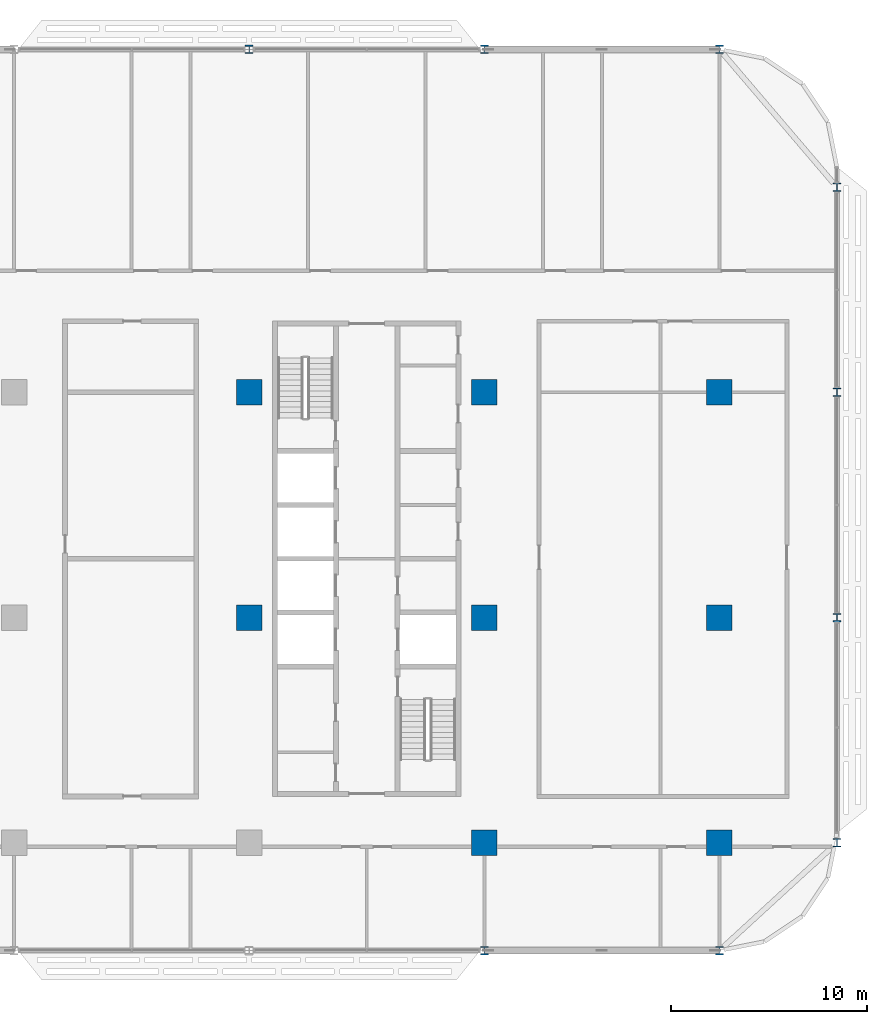
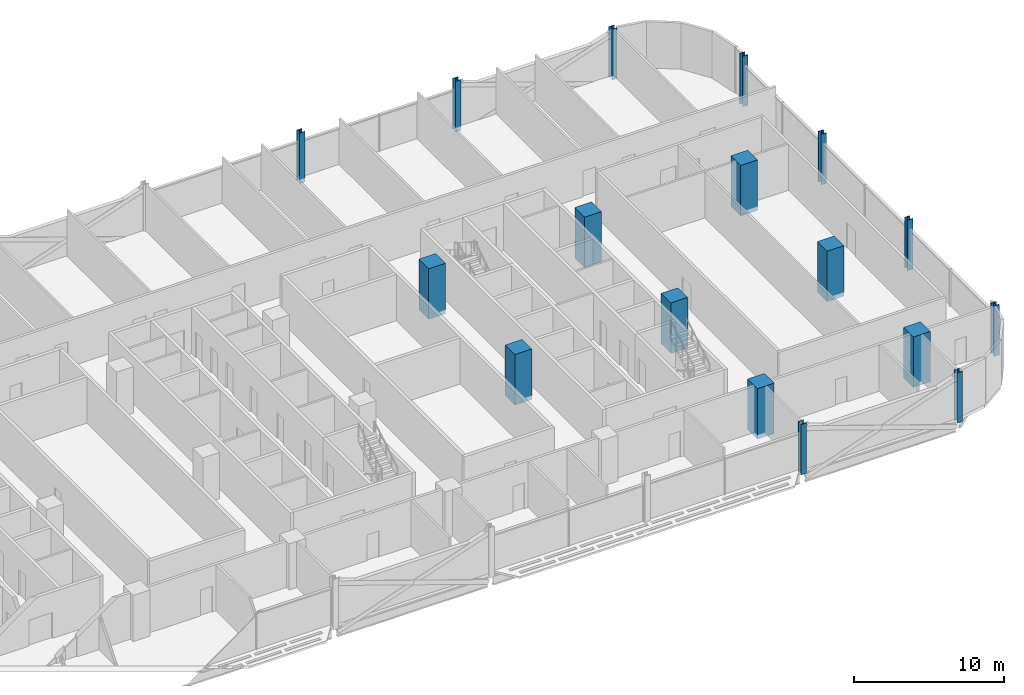
# One storey, part 2 of 29: 17 columns.
"""IFC4 building model written with IfcOpenShell, lengths in metres."""

from ifc_helpers import new_model, si_unit, direction, frame, origin, origin_2d, place, context, subcontext, project, spatial, rectangle, i_section, extrude, material, material_profile, profile_set, type_object, element, save


model = new_model("IFC4")

# Units and contexts
model_context = context("Model", 3, precision=1e-05, world=origin(), true_north=direction((0.0, 1.0)))
body_context = subcontext(model_context, "Body", "Model", "MODEL_VIEW")
ifc_project = project(units=[si_unit("LENGTHUNIT", "METRE"), si_unit("AREAUNIT", "SQUARE_METRE"), si_unit("VOLUMEUNIT", "CUBIC_METRE"), si_unit("PLANEANGLEUNIT", "RADIAN"), si_unit("MASSUNIT", "GRAM", prefix="KILO")], contexts=[model_context])

# Site, building, storey
site_placement = place(None, origin())
site = spatial("IfcSite", under=ifc_project, at=site_placement, CompositionType="ELEMENT")
building_placement = place(site_placement, origin())
building = spatial("IfcBuilding", under=site, at=building_placement, Name="Mahtab Terrace Research Tower", CompositionType="ELEMENT")
storey_placement = place(building_placement, frame((0.0, 0.0, 142.5)))
storey = spatial("IfcBuildingStorey", under=building, at=storey_placement, Name="L33", CompositionType="ELEMENT", Elevation=142.5)

# Columns
ifc_material_1 = material(Name="Concrete C70/85", Category="concrete")
ifc_material_profile_1 = material_profile(ifc_material_1, rectangle(XDim=1.300048828125, YDim=1.300048828125, at=origin_2d()), Name="RC column 1300x1300")
ifc_profile_set_1 = profile_set([ifc_material_profile_1], Name="Concrete C70/85")
column_type_1 = type_object("IfcColumnType", Name="RC column 1300x1300", PredefinedType="COLUMN", material=ifc_profile_set_1)
for number, where, z_axis, x_axis, name in (
    (1, (18.0, 0.0, -0.340087890625), (0.0, 0.0, 1.0), (1.0, 0.0, 0.0), "Column RC-6B L33"),
    (2, (18.0, 11.5, -0.340087890625), (0.0, 0.0, 1.0), (1.0, 0.0, 0.0), "Column RC-6C L33"),
    (3, (30.0, -11.5, -0.340087890625), (0.0, 0.0, 1.0), (1.0, 0.0, 0.0), "Column RC-7A L33"),
    (4, (30.0, 0.0, -0.340087890625), (0.0, 0.0, 1.0), (1.0, 0.0, 0.0), "Column RC-7B L33"),
    (5, (30.0, 11.5, -0.340087890625), (0.0, 0.0, 1.0), (1.0, 0.0, 0.0), "Column RC-7C L33"),
    (6, (42.0, -11.5, -0.340087890625), (0.0, 0.0, 1.0), (1.0, 0.0, 0.0), "Column RC-8A L33"),
    (7, (42.0, 0.0, -0.340087890625), (0.0, 0.0, 1.0), (1.0, 0.0, 0.0), "Column RC-8B L33"),
    (8, (42.0, 11.5, -0.340087890625), (0.0, 0.0, 1.0), (1.0, 0.0, 0.0), "Column RC-8C L33"),
):
    element("IfcColumn", number, at=place(storey_placement, frame(where, z_axis=z_axis, x_axis=x_axis)), inside=storey, type_object=column_type_1, Name=name, PredefinedType="COLUMN", context=body_context, shape_type="SweptSolid", body=[
        extrude(rectangle(XDim=1.300048828125, YDim=1.300048828125, at=origin_2d()), origin(), (0.0, 0.0, 1.0), 4.10009765625),
    ])
ifc_material_2 = material(Name="Steel ASTM A992 Gr 50", Category="steel")
ifc_material_profile_2 = material_profile(ifc_material_2, i_section(OverallWidth=0.41162109375, OverallDepth=0.434326171875, WebThickness=0.035888671875, FlangeThickness=0.057373046875, at=origin_2d()), Name="W14X311")
ifc_profile_set_2 = profile_set([ifc_material_profile_2], Name="Steel ASTM A992 Gr 50")
column_type_2 = type_object("IfcColumnType", Name="W14x311 column CS14311", PredefinedType="COLUMN", material=ifc_profile_set_2)
for number, where, z_axis, x_axis, name in (
    (9, (42.0, 29.0, -0.340087890625), (0.0, 0.0, 1.0), (1.0, 0.0, 0.0), "Column SC-031 L33"),
    (10, (30.0, 29.0, -0.340087890625), (0.0, 0.0, 1.0), (1.0, 0.0, 0.0), "Column SC-032 L33"),
    (11, (18.0, 29.0, -0.340087890625), (0.0, 0.0, 1.0), (1.0, 0.0, 0.0), "Column SC-033 L33"),
    (12, (30.0, -17.0, -0.340087890625), (0.0, 0.0, 1.0), (1.0, 0.0, 0.0), "Column SC-044 L33"),
    (13, (42.0, -17.0, -0.340087890625), (0.0, 0.0, 1.0), (1.0, 0.0, 0.0), "Column SC-045 L33"),
    (14, (48.0, -11.5, -0.340087890625), (0.0, 0.0, 1.0), (1.0, 0.0, 0.0), "Column SC-020 L33"),
    (15, (48.0, 0.0, -0.340087890625), (0.0, 0.0, 1.0), (1.0, 0.0, 0.0), "Column SC-021 L33"),
    (16, (48.0, 11.5, -0.340087890625), (0.0, 0.0, 1.0), (1.0, 0.0, 0.0), "Column SC-022 L33"),
    (17, (48.0, 21.9619140625, -0.340087890625), (0.0, 0.0, 1.0), (1.0, 0.0, 0.0), "Column SC-050 L33"),
):
    element("IfcColumn", number, at=place(storey_placement, frame(where, z_axis=z_axis, x_axis=x_axis)), inside=storey, type_object=column_type_2, Name=name, PredefinedType="COLUMN", context=body_context, shape_type="SweptSolid", body=[
        extrude(i_section(OverallWidth=0.41162109375, OverallDepth=0.434326171875, WebThickness=0.035888671875, FlangeThickness=0.057373046875, at=origin_2d()), origin(), (0.0, 0.0, 1.0), 4.10009765625),
    ])

save(model, "model.ifc")
